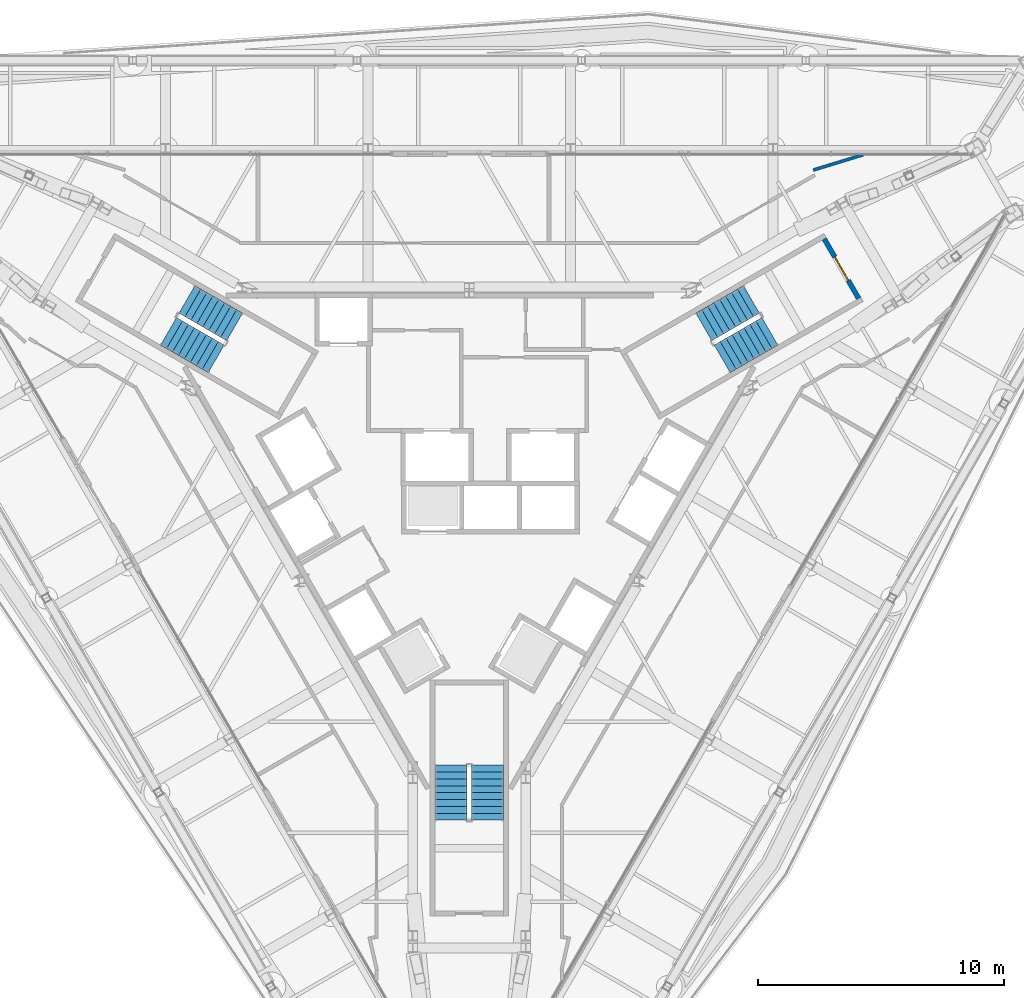
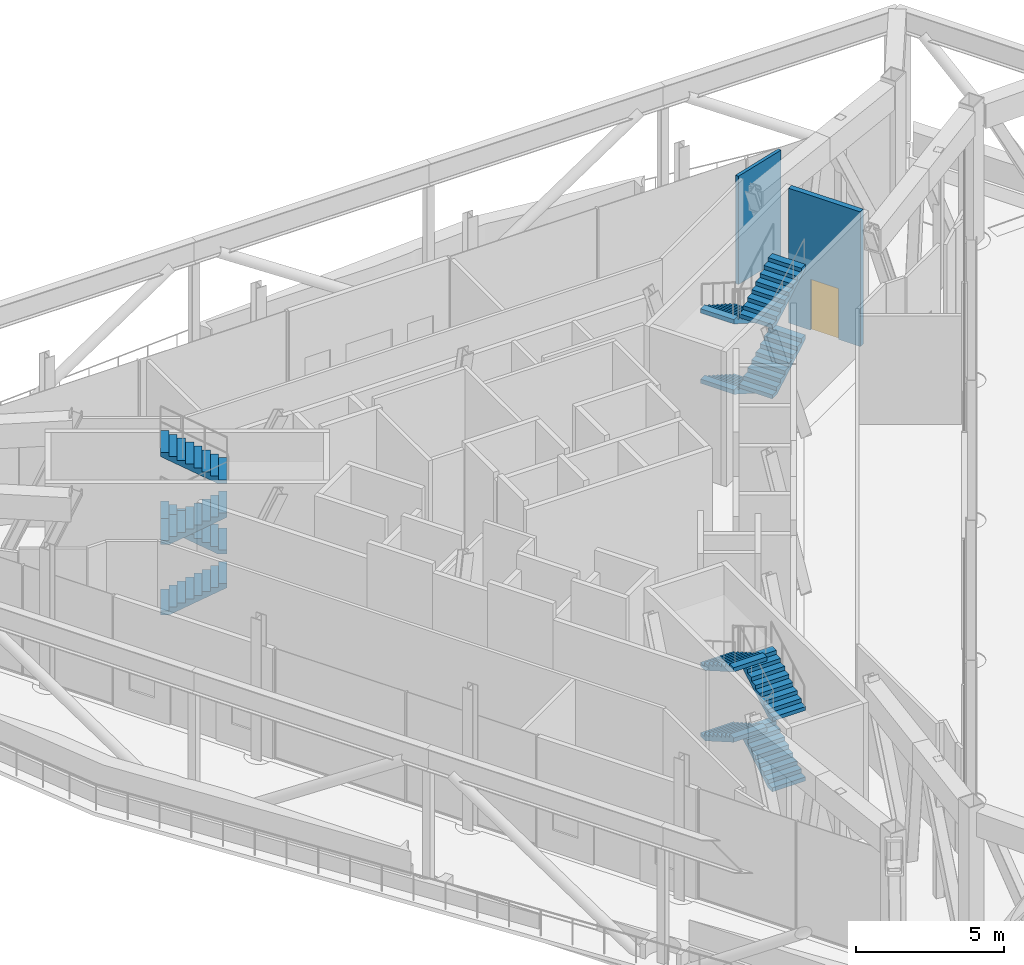
# One storey, part 18 of 25: 12 stair flights, 2 walls, 1 door, 1 opening, 3 elements without a shape of their own.
"""IFC4 building model written with IfcOpenShell, lengths in metres."""

import ifcopenshell
import ifcopenshell.guid

model = None  # the IFC model being written
_history = None  # IfcOwnerHistory: only IFC2X3 demands one
_inside = {}  # id of a spatial element -> (the spatial element, [elements in it])
_under = {}  # id of a project, library or spatial element -> (it, [spatial elements below it])
_declared = {}  # id of a project -> (the project, [libraries it declares])
_typed = {}  # id of a type object -> (the type object, [elements of that type])
_made_of = {}  # id of a material, layer set ... -> (it, [elements and type objects made of it])


def new_model(schema):
    """Start an empty IFC model of exactly this schema.

    Asked for "IFC4X3", IfcOpenShell would pick the latest addendum, in which some entities
    have other attributes; the version numbers below select the first issue.
    IFC2X3 requires an IfcOwnerHistory on every rooted entity: one is made here for all.
    """
    global model, _history
    if schema == "IFC4X3":
        model = ifcopenshell.file(schema_version=(4, 3, 0, 0))
    else:
        model = ifcopenshell.file(schema=schema)
    _inside.clear()
    _under.clear()
    _declared.clear()
    _typed.clear()
    _made_of.clear()
    _history = None
    if model.schema == "IFC2X3":
        org = make("IfcOrganization", Name="unknown")
        user = make(
            "IfcPersonAndOrganization",
            ThePerson=make("IfcPerson", FamilyName="unknown"),
            TheOrganization=org,
        )
        app = make(
            "IfcApplication",
            ApplicationDeveloper=org,
            Version="unknown",
            ApplicationFullName="unknown",
            ApplicationIdentifier="unknown",
        )
        _history = make(
            "IfcOwnerHistory",
            OwningUser=user,
            OwningApplication=app,
            ChangeAction="ADDED",
            CreationDate=0,
        )
    return model


def make(cls, **values):
    """One entity of the class cls with the attributes given. An attribute that is None is left unset."""
    return model.create_entity(
        cls, **{name: value for name, value in values.items() if value is not None}
    )


def rooted(cls, **values):
    """An entity with a GlobalId (a new one), such as an element, a storey or a relation."""
    return make(cls, GlobalId=ifcopenshell.guid.new(), OwnerHistory=_history, **values)


def si_unit(unit_type, name, prefix=None):
    """IfcSIUnit, for example si_unit("LENGTHUNIT", "METRE", prefix="MILLI")."""
    return make("IfcSIUnit", UnitType=unit_type, Prefix=prefix, Name=name)


def assignment(units):
    """IfcUnitAssignment: the units of a project."""
    return None if units is None else make("IfcUnitAssignment", Units=units)


def point(xyz):
    """IfcCartesianPoint."""
    return None if xyz is None else make("IfcCartesianPoint", Coordinates=xyz)


def direction(xyz):
    """IfcDirection."""
    return None if xyz is None else make("IfcDirection", DirectionRatios=xyz)


def frame(location, z_axis=None, x_axis=None):
    """IfcAxis2Placement3D, a coordinate frame: its origin and axes. An axis left out is left unset."""
    return make(
        "IfcAxis2Placement3D",
        Location=point(location),
        Axis=direction(z_axis),
        RefDirection=direction(x_axis),
    )


def frame_2d(location, x_axis=None):
    """IfcAxis2Placement2D, a coordinate frame in the plane: its origin and x axis."""
    return make(
        "IfcAxis2Placement2D", Location=point(location), RefDirection=direction(x_axis)
    )


def origin():
    """The frame at (0, 0, 0) with its axes left unset."""
    return frame((0.0, 0.0, 0.0))


def place(relative_to, where):
    """IfcLocalPlacement: puts the frame where relative to a parent placement (None: the world)."""
    return make(
        "IfcLocalPlacement", PlacementRelTo=relative_to, RelativePlacement=where
    )


def context(
    kind, dimensions, precision=None, world=None, true_north=None, identifier=None
):
    """IfcGeometricRepresentationContext, for example the 3D "Model" context."""
    return make(
        "IfcGeometricRepresentationContext",
        ContextIdentifier=identifier,
        ContextType=kind,
        CoordinateSpaceDimension=dimensions,
        Precision=precision,
        WorldCoordinateSystem=world,
        TrueNorth=true_north,
    )


def subcontext(parent, identifier, kind, view, scale=None):
    """IfcGeometricRepresentationSubContext, for example "Body" below "Model"."""
    return make(
        "IfcGeometricRepresentationSubContext",
        ContextIdentifier=identifier,
        ContextType=kind,
        ParentContext=parent,
        TargetScale=scale,
        TargetView=view,
    )


def project(units=None, contexts=None):
    """IfcProject with its units and contexts."""
    return rooted(
        "IfcProject",
        Name="project",
        RepresentationContexts=contexts,
        UnitsInContext=assignment(units),
    )


def spatial(cls, under=None, at=None, **own):
    """A site, building, storey or space (cls), placed at a placement, below another one or the project."""
    s = rooted(cls, ObjectPlacement=at, **own)
    if under is not None:
        _under.setdefault(under.id(), (under, []))[1].append(s)
    return s


def polyline(points):
    """IfcPolyline through the points."""
    return make("IfcPolyline", Points=[point(p) for p in points])


def profile(cls, at=None, kind="AREA", **sizes):
    """A parametric profile (cls). Its sizes go by their IFC names, for example OverallWidth=200.0."""
    return make(cls, ProfileType=kind, Position=at, **sizes)


def rectangle(**sizes):
    """IfcRectangleProfileDef."""
    return profile("IfcRectangleProfileDef", **sizes)


def outline(outer, holes=None, kind="AREA"):
    """IfcArbitraryClosedProfileDef: a profile drawn as a closed curve; with holes, ...WithVoids."""
    if holes is None:
        return make("IfcArbitraryClosedProfileDef", ProfileType=kind, OuterCurve=outer)
    return make(
        "IfcArbitraryProfileDefWithVoids",
        ProfileType=kind,
        OuterCurve=outer,
        InnerCurves=holes,
    )


def extrude(swept, where, along, depth):
    """IfcExtrudedAreaSolid: the profile swept, set in the frame where, extruded along a direction by depth."""
    return make(
        "IfcExtrudedAreaSolid",
        SweptArea=swept,
        Position=where,
        ExtrudedDirection=direction(along),
        Depth=depth,
    )


def shape(context_of_items, identifier, shape_type, items):
    """IfcShapeRepresentation: the items that make up one representation, for example the "Body"."""
    return make(
        "IfcShapeRepresentation",
        ContextOfItems=context_of_items,
        RepresentationIdentifier=identifier,
        RepresentationType=shape_type,
        Items=items,
    )


def material(Name=None, Category=None):
    """IfcMaterial."""
    return make("IfcMaterial", Name=Name, Category=Category)


def layer(
    of_material, thickness, ventilated=None, Name=None, Category=None, Priority=None
):
    """IfcMaterialLayer: one layer of a wall or slab, of a material (None: an air gap)."""
    return make(
        "IfcMaterialLayer",
        Material=of_material,
        LayerThickness=thickness,
        IsVentilated=ventilated,
        Name=Name,
        Category=Category,
        Priority=Priority,
    )


def layer_set(layers, Name=None):
    """IfcMaterialLayerSet."""
    return make("IfcMaterialLayerSet", MaterialLayers=layers, LayerSetName=Name)


def made_of(thing, what):
    """Note that an element or type object is made of a material, layer set ...; save() writes the relation."""
    if what is not None:
        _made_of.setdefault(what.id(), (what, []))[1].append(thing)
    return thing


def type_object(cls, material=None, **own):
    """A type object (cls), such as IfcWallType, which elements share."""
    return made_of(rooted(cls, **own), material)


def element(
    cls,
    number,
    at=None,
    inside=None,
    cuts=None,
    type_object=None,
    material=None,
    context=None,
    identifier="Body",
    shape_type=None,
    held_by="IfcProductDefinitionShape",
    body=None,
    shapes=None,
    **own,
):
    """One element of the class cls, such as IfcWall. Its Tag is "e" and its number.

    at: its placement. inside: the storey or other place that contains it. cuts: it is an
    opening in that element (IfcRelVoidsElement). A single representation is given by context,
    identifier, shape_type and body (its items); several are given by shapes. held_by: the class
    of the entity that holds the representations. save() writes the other relations.
    """
    e = rooted(cls, Tag="e%d" % number, ObjectPlacement=at, **own)
    if body is not None:
        shapes = [shape(context, identifier, shape_type, body)]
    if shapes is not None:
        e.Representation = make(held_by, Representations=shapes)
    if inside is not None:
        _inside.setdefault(inside.id(), (inside, []))[1].append(e)
    if cuts is not None:
        rooted(
            "IfcRelVoidsElement", RelatingBuildingElement=cuts, RelatedOpeningElement=e
        )
    if type_object is not None:
        _typed.setdefault(type_object.id(), (type_object, []))[1].append(e)
    return made_of(e, material)


def fill(opening, filler):
    """IfcRelFillsElement: the door or window that sits in an opening."""
    return rooted(
        "IfcRelFillsElement",
        RelatingOpeningElement=opening,
        RelatedBuildingElement=filler,
    )


def aggregate(whole, parts):
    """IfcRelAggregates: a whole, such as a stair, and the parts it consists of."""
    return rooted("IfcRelAggregates", RelatingObject=whole, RelatedObjects=parts)


def save(model, path):
    """Write the relations noted so far, then the file.

    IfcRelAggregates (storeys below a building ...), IfcRelContainedInSpatialStructure (elements
    in a storey), IfcRelDefinesByType, IfcRelAssociatesMaterial and IfcRelDeclares: one each for
    every whole, place, type object, material and project.
    """
    for whole, parts in _under.values():
        aggregate(whole, parts)
    for where, things in _inside.values():
        rooted(
            "IfcRelContainedInSpatialStructure",
            RelatedElements=things,
            RelatingStructure=where,
        )
    for kind, things in _typed.values():
        rooted("IfcRelDefinesByType", RelatedObjects=things, RelatingType=kind)
    for what, things in _made_of.values():
        rooted("IfcRelAssociatesMaterial", RelatedObjects=things, RelatingMaterial=what)
    for by, libraries in _declared.values():
        rooted("IfcRelDeclares", RelatingContext=by, RelatedDefinitions=libraries)
    model.write(path)


model = new_model("IFC4")

# Units and contexts
model_context = context("Model", 3, precision=1e-05, world=origin(), true_north=direction((0.0, 1.0)))
body_context = subcontext(model_context, "Body", "Model", "MODEL_VIEW")
ifc_project = project(units=[si_unit("LENGTHUNIT", "METRE"), si_unit("AREAUNIT", "SQUARE_METRE"), si_unit("VOLUMEUNIT", "CUBIC_METRE"), si_unit("PLANEANGLEUNIT", "RADIAN"), si_unit("MASSUNIT", "GRAM", prefix="KILO")], contexts=[model_context])

# Site, building, storey
site_placement = place(None, origin())
site = spatial("IfcSite", under=ifc_project, at=site_placement, CompositionType="ELEMENT")
building_placement = place(site_placement, origin())
building = spatial("IfcBuilding", under=site, at=building_placement, Name="Verrane Prism Tower", CompositionType="ELEMENT")
storey_placement = place(building_placement, frame((0.0, 0.0, 258.199951171875)))
storey = spatial("IfcBuildingStorey", under=building, at=storey_placement, Name="L65", CompositionType="ELEMENT", Elevation=258.199951171875)

# Wall, opening, door
ifc_material_1 = material(Name="Concrete C40/50", Category="concrete")
ifc_layer_1 = layer(ifc_material_1, 0.199951171875)
ifc_layer_set_1 = layer_set([ifc_layer_1], Name="CW-200 stair core wall concrete C40/50 3 h")
wall_type_1 = type_object("IfcWallType", Name="CW-200 stair core wall concrete C40/50 3 h", PredefinedType="PARTITIONING", material=ifc_layer_set_1)
wall_1_placement = place(storey_placement, frame((15.85546875, 7.53759765625, 0.0), z_axis=(0.0, 0.0, 1.0), x_axis=(-0.500049511043, 0.865996816683, 0.0)))
wall_1 = element("IfcWall", 1, at=wall_1_placement, inside=storey, type_object=wall_type_1, Name="Stair 1 enclosure wall", PredefinedType="PARTITIONING", context=body_context, shape_type="SweptSolid", body=[
    extrude(rectangle(XDim=2.800048828125, YDim=0.199951171875, at=frame_2d((1.39990234375, 0.0))), origin(), (0.0, 0.0, 1.0), 5.550048828125),
])
opening_placement = place(wall_1_placement, frame((0.849853515625, 0.0, 0.0)))
opening = element("IfcOpeningElement", 2, at=opening_placement, cuts=wall_1, Name="Opening D65500", PredefinedType="OPENING", context=body_context, shape_type="SweptSolid", body=[
    extrude(rectangle(XDim=1.10009765625, YDim=2.10009765625, at=frame_2d((0.550048828125, 1.050048828125))), frame((0.0, 0.10986328125, 0.0), z_axis=(0.0, -1.0, 0.0), x_axis=(1.0, 0.0, 0.0)), (0.0, 0.0, 1.0), 0.219970703125),
])
ifc_material_2 = material(Name="Timber veneered door leaf", Category="wood")
door_type = type_object("IfcDoorType", Name="DR-1100x2100 FD90 single leaf stair", OperationType="NOTDEFINED", PredefinedType="DOOR", material=ifc_material_2)
door_placement = place(opening_placement, origin())
door = element("IfcDoor", 3, at=door_placement, inside=storey, type_object=door_type, Name="Stair 1 door", OperationType="SINGLE_SWING_LEFT", OverallHeight=2.10009765625, OverallWidth=1.10009765625, PredefinedType="DOOR", context=body_context, shape_type="SweptSolid", body=[
    extrude(rectangle(XDim=1.10009765625, YDim=2.10009765625, at=frame_2d((0.550048828125, 1.050048828125))), frame((0.0, 0.02490234375, 0.0), z_axis=(0.0, -1.0, 0.0), x_axis=(1.0, 0.0, 0.0)), (0.0, 0.0, 1.0), 0.050048828125),
])
fill(opening, door)

# Wall
ifc_material_3 = material(Name="Gypsum board partition", Category="other")
ifc_layer_2 = layer(ifc_material_3, 0.125)
ifc_layer_set_2 = layer_set([ifc_layer_2], Name="PW-125 corridor wall 1 h")
wall_type_2 = type_object("IfcWallType", Name="PW-125 corridor wall 1 h", PredefinedType="PARTITIONING", material=ifc_layer_set_2)
wall_2_placement = place(storey_placement, frame((14.007080078125, 12.76611328125, 0.0), z_axis=(0.0, 0.0, 1.0), x_axis=(0.956207207062, 0.292690582633, 0.0)))
element("IfcWall", 4, at=wall_2_placement, inside=storey, type_object=wall_type_2, Name="Corridor wall 026", PredefinedType="PARTITIONING", context=body_context, shape_type="SweptSolid", body=[
    extrude(rectangle(XDim=2.115234375, YDim=0.125, at=frame_2d((1.0576171875, 0.0))), origin(), (0.0, 0.0, 1.0), 4.462158203125),
])

# Stair, stair flights
ifc_material_4 = material(Name="Concrete C40/50", Category="concrete")
stair_type = type_object("IfcStairType", Name="Exit stair 1300 dog-leg precast concrete C40/50", PredefinedType="HALF_TURN_STAIR", material=ifc_material_4)
stair_1_placement = place(storey_placement, origin())
stair_1 = element("IfcStair", 5, at=stair_1_placement, inside=storey, type_object=stair_type, Name="Stair 1 L65", PredefinedType="HALF_TURN_STAIR")
ifc_material_5 = material(Name="Concrete C40/50", Category="concrete")
stair_flight_type = type_object("IfcStairFlightType", Name="Stair flight 1300 precast concrete C40/50", PredefinedType="STRAIGHT", material=ifc_material_5)
stair_flight_1_placement = place(storey_placement, frame((11.489501953125, 7.49951171875, 0.0), z_axis=(0.0, 0.0, 1.0), x_axis=(-0.866025403784, -0.5, 0.0)))
stair_flight_1 = element("IfcStairFlight", 6, at=stair_flight_1_placement, type_object=stair_flight_type, Name="Stair 1 flight 1", NumberOfRisers=9, NumberOfTreads=8, PredefinedType="STRAIGHT", RiserHeight=0.161111111, TreadLength=0.28, context=body_context, shape_type="SweptSolid", body=[
    extrude(outline(polyline([(0.0, 0.0), (0.0, 0.1611328125), (0.280029296875, 0.1611328125), (0.280029296875, 0.322265625), (0.56005859375, 0.322265625), (0.56005859375, 0.4833984375), (0.840087890625, 0.4833984375), (0.840087890625, 0.64453125), (1.1201171875, 0.64453125), (1.1201171875, 0.8056640625), (1.39990234375, 0.8056640625), (1.39990234375, 0.966552734375), (1.679931640625, 0.966552734375), (1.679931640625, 1.127685546875), (1.9599609375, 1.127685546875), (1.9599609375, 1.288818359375), (2.239990234375, 1.288818359375), (2.239990234375, 1.449951171875), (2.239990234375, 1.115966796875), (0.300537109375, 0.0), (0.0, 0.0)])), frame((0.0, 0.64990234375, 0.0), z_axis=(0.0, -1.0, 0.0), x_axis=(1.0, 0.0, 0.0)), (0.0, 0.0, 1.0), 1.300048828125),
])
stair_flight_2_placement = place(storey_placement, frame((10.299560546875, 5.08056640625, 1.449951171875), z_axis=(0.0, 0.0, 1.0), x_axis=(0.866025403784, 0.5, 0.0)))
stair_flight_2 = element("IfcStairFlight", 7, at=stair_flight_2_placement, type_object=stair_flight_type, Name="Stair 1 flight 2", NumberOfRisers=9, NumberOfTreads=8, PredefinedType="STRAIGHT", RiserHeight=0.161111111, TreadLength=0.28, context=body_context, shape_type="SweptSolid", body=[
    extrude(outline(polyline([(0.0, 0.0), (0.0, 0.1611328125), (0.280029296875, 0.1611328125), (0.280029296875, 0.322265625), (0.56005859375, 0.322265625), (0.56005859375, 0.4833984375), (0.840087890625, 0.4833984375), (0.840087890625, 0.64453125), (1.1201171875, 0.64453125), (1.1201171875, 0.8056640625), (1.39990234375, 0.8056640625), (1.39990234375, 0.966552734375), (1.679931640625, 0.966552734375), (1.679931640625, 1.127685546875), (1.9599609375, 1.127685546875), (1.9599609375, 1.288818359375), (2.239990234375, 1.288818359375), (2.239990234375, 1.449951171875), (2.239990234375, 1.115966796875), (0.300537109375, 0.0), (0.0, 0.0)])), frame((0.0, 0.64990234375, 0.0), z_axis=(0.0, -1.0, 0.0), x_axis=(1.0, 0.0, 0.0)), (0.0, 0.0, 1.0), 1.300048828125),
])
stair_flight_3_placement = place(storey_placement, frame((11.489501953125, 7.49951171875, 2.900146484375), z_axis=(0.0, 0.0, 1.0), x_axis=(-0.866025403784, -0.5, 0.0)))
stair_flight_3 = element("IfcStairFlight", 8, at=stair_flight_3_placement, type_object=stair_flight_type, Name="Stair 1 flight 3", NumberOfRisers=9, NumberOfTreads=8, PredefinedType="STRAIGHT", RiserHeight=0.161111111, TreadLength=0.28, context=body_context, shape_type="SweptSolid", body=[
    extrude(outline(polyline([(0.0, 0.0), (0.0, 0.1611328125), (0.280029296875, 0.1611328125), (0.280029296875, 0.322265625), (0.56005859375, 0.322265625), (0.56005859375, 0.4833984375), (0.840087890625, 0.4833984375), (0.840087890625, 0.64453125), (1.1201171875, 0.64453125), (1.1201171875, 0.8056640625), (1.39990234375, 0.8056640625), (1.39990234375, 0.966552734375), (1.679931640625, 0.966552734375), (1.679931640625, 1.127685546875), (1.9599609375, 1.127685546875), (1.9599609375, 1.288818359375), (2.239990234375, 1.288818359375), (2.239990234375, 1.449951171875), (2.239990234375, 1.115966796875), (0.300537109375, 0.0), (0.0, 0.0)])), frame((0.0, 0.64990234375, 0.0), z_axis=(0.0, -1.0, 0.0), x_axis=(1.0, 0.0, 0.0)), (0.0, 0.0, 1.0), 1.300048828125),
])
stair_flight_4_placement = place(storey_placement, frame((10.299560546875, 5.08056640625, 4.35009765625), z_axis=(0.0, 0.0, 1.0), x_axis=(0.866025403784, 0.5, 0.0)))
stair_flight_4 = element("IfcStairFlight", 9, at=stair_flight_4_placement, type_object=stair_flight_type, Name="Stair 1 flight 4", NumberOfRisers=9, NumberOfTreads=8, PredefinedType="STRAIGHT", RiserHeight=0.161111111, TreadLength=0.28, context=body_context, shape_type="SweptSolid", body=[
    extrude(outline(polyline([(0.0, 0.0), (0.0, 0.1611328125), (0.280029296875, 0.1611328125), (0.280029296875, 0.322265625), (0.56005859375, 0.322265625), (0.56005859375, 0.4833984375), (0.840087890625, 0.4833984375), (0.840087890625, 0.64453125), (1.1201171875, 0.64453125), (1.1201171875, 0.8056640625), (1.39990234375, 0.8056640625), (1.39990234375, 0.966552734375), (1.679931640625, 0.966552734375), (1.679931640625, 1.127685546875), (1.9599609375, 1.127685546875), (1.9599609375, 1.288818359375), (2.239990234375, 1.288818359375), (2.239990234375, 1.449951171875), (2.239990234375, 1.115966796875), (0.300537109375, 0.0), (0.0, 0.0)])), frame((0.0, 0.64990234375, 0.0), z_axis=(0.0, -1.0, 0.0), x_axis=(1.0, 0.0, 0.0)), (0.0, 0.0, 1.0), 1.300048828125),
])
aggregate(stair_1, [stair_flight_1, stair_flight_2, stair_flight_3, stair_flight_4])

stair_2_placement = place(storey_placement, origin())
stair_2 = element("IfcStair", 10, at=stair_2_placement, inside=storey, type_object=stair_type, Name="Stair 2 L65", PredefinedType="HALF_TURN_STAIR")
stair_flight_5_placement = place(storey_placement, frame((-12.239501953125, 6.200439453125, 0.0), z_axis=(0.0, 0.0, 1.0), x_axis=(0.866025403784, -0.5, 0.0)))
stair_flight_5 = element("IfcStairFlight", 11, at=stair_flight_5_placement, type_object=stair_flight_type, Name="Stair 2 flight 1", NumberOfRisers=9, NumberOfTreads=8, PredefinedType="STRAIGHT", RiserHeight=0.161111111, TreadLength=0.28, context=body_context, shape_type="SweptSolid", body=[
    extrude(outline(polyline([(0.0, 0.0), (0.0, 0.1611328125), (0.280029296875, 0.1611328125), (0.280029296875, 0.322265625), (0.56005859375, 0.322265625), (0.56005859375, 0.4833984375), (0.840087890625, 0.4833984375), (0.840087890625, 0.64453125), (1.1201171875, 0.64453125), (1.1201171875, 0.8056640625), (1.39990234375, 0.8056640625), (1.39990234375, 0.966552734375), (1.679931640625, 0.966552734375), (1.679931640625, 1.127685546875), (1.9599609375, 1.127685546875), (1.9599609375, 1.288818359375), (2.239990234375, 1.288818359375), (2.239990234375, 1.449951171875), (2.239990234375, 1.115966796875), (0.300537109375, 0.0), (0.0, 0.0)])), frame((0.0, 0.64990234375, 0.0), z_axis=(0.0, -1.0, 0.0), x_axis=(1.0, 0.0, 0.0)), (0.0, 0.0, 1.0), 1.300048828125),
])
stair_flight_6_placement = place(storey_placement, frame((-9.549560546875, 6.379638671875, 1.449951171875), z_axis=(0.0, 0.0, 1.0), x_axis=(-0.866025403784, 0.5, 0.0)))
stair_flight_6 = element("IfcStairFlight", 12, at=stair_flight_6_placement, type_object=stair_flight_type, Name="Stair 2 flight 2", NumberOfRisers=9, NumberOfTreads=8, PredefinedType="STRAIGHT", RiserHeight=0.161111111, TreadLength=0.28, context=body_context, shape_type="SweptSolid", body=[
    extrude(outline(polyline([(0.0, 0.0), (0.0, 0.1611328125), (0.280029296875, 0.1611328125), (0.280029296875, 0.322265625), (0.56005859375, 0.322265625), (0.56005859375, 0.4833984375), (0.840087890625, 0.4833984375), (0.840087890625, 0.64453125), (1.1201171875, 0.64453125), (1.1201171875, 0.8056640625), (1.39990234375, 0.8056640625), (1.39990234375, 0.966552734375), (1.679931640625, 0.966552734375), (1.679931640625, 1.127685546875), (1.9599609375, 1.127685546875), (1.9599609375, 1.288818359375), (2.239990234375, 1.288818359375), (2.239990234375, 1.449951171875), (2.239990234375, 1.115966796875), (0.300537109375, 0.0), (0.0, 0.0)])), frame((0.0, 0.64990234375, 0.0), z_axis=(0.0, -1.0, 0.0), x_axis=(1.0, 0.0, 0.0)), (0.0, 0.0, 1.0), 1.300048828125),
])
stair_flight_7_placement = place(storey_placement, frame((-12.239501953125, 6.200439453125, 2.900146484375), z_axis=(0.0, 0.0, 1.0), x_axis=(0.866025403784, -0.5, 0.0)))
stair_flight_7 = element("IfcStairFlight", 13, at=stair_flight_7_placement, type_object=stair_flight_type, Name="Stair 2 flight 3", NumberOfRisers=9, NumberOfTreads=8, PredefinedType="STRAIGHT", RiserHeight=0.161111111, TreadLength=0.28, context=body_context, shape_type="SweptSolid", body=[
    extrude(outline(polyline([(0.0, 0.0), (0.0, 0.1611328125), (0.280029296875, 0.1611328125), (0.280029296875, 0.322265625), (0.56005859375, 0.322265625), (0.56005859375, 0.4833984375), (0.840087890625, 0.4833984375), (0.840087890625, 0.64453125), (1.1201171875, 0.64453125), (1.1201171875, 0.8056640625), (1.39990234375, 0.8056640625), (1.39990234375, 0.966552734375), (1.679931640625, 0.966552734375), (1.679931640625, 1.127685546875), (1.9599609375, 1.127685546875), (1.9599609375, 1.288818359375), (2.239990234375, 1.288818359375), (2.239990234375, 1.449951171875), (2.239990234375, 1.115966796875), (0.300537109375, 0.0), (0.0, 0.0)])), frame((0.0, 0.64990234375, 0.0), z_axis=(0.0, -1.0, 0.0), x_axis=(1.0, 0.0, 0.0)), (0.0, 0.0, 1.0), 1.300048828125),
])
stair_flight_8_placement = place(storey_placement, frame((-9.549560546875, 6.379638671875, 4.35009765625), z_axis=(0.0, 0.0, 1.0), x_axis=(-0.866025403784, 0.5, 0.0)))
stair_flight_8 = element("IfcStairFlight", 14, at=stair_flight_8_placement, type_object=stair_flight_type, Name="Stair 2 flight 4", NumberOfRisers=9, NumberOfTreads=8, PredefinedType="STRAIGHT", RiserHeight=0.161111111, TreadLength=0.28, context=body_context, shape_type="SweptSolid", body=[
    extrude(outline(polyline([(0.0, 0.0), (0.0, 0.1611328125), (0.280029296875, 0.1611328125), (0.280029296875, 0.322265625), (0.56005859375, 0.322265625), (0.56005859375, 0.4833984375), (0.840087890625, 0.4833984375), (0.840087890625, 0.64453125), (1.1201171875, 0.64453125), (1.1201171875, 0.8056640625), (1.39990234375, 0.8056640625), (1.39990234375, 0.966552734375), (1.679931640625, 0.966552734375), (1.679931640625, 1.127685546875), (1.9599609375, 1.127685546875), (1.9599609375, 1.288818359375), (2.239990234375, 1.288818359375), (2.239990234375, 1.449951171875), (2.239990234375, 1.115966796875), (0.300537109375, 0.0), (0.0, 0.0)])), frame((0.0, 0.64990234375, 0.0), z_axis=(0.0, -1.0, 0.0), x_axis=(1.0, 0.0, 0.0)), (0.0, 0.0, 1.0), 1.300048828125),
])
aggregate(stair_2, [stair_flight_5, stair_flight_6, stair_flight_7, stair_flight_8])

stair_3_placement = place(storey_placement, origin())
stair_3 = element("IfcStair", 15, at=stair_3_placement, inside=storey, type_object=stair_type, Name="Stair 3 L65", PredefinedType="HALF_TURN_STAIR")
stair_flight_9_placement = place(storey_placement, frame((0.75, -13.699951171875, 0.0), z_axis=(0.0, 0.0, 1.0), x_axis=(0.0, 1.0, 0.0)))
stair_flight_9 = element("IfcStairFlight", 16, at=stair_flight_9_placement, type_object=stair_flight_type, Name="Stair 3 flight 1", NumberOfRisers=9, NumberOfTreads=8, PredefinedType="STRAIGHT", RiserHeight=0.161111111, TreadLength=0.28, context=body_context, shape_type="SweptSolid", body=[
    extrude(outline(polyline([(0.0, 0.0), (0.0, 0.1611328125), (0.280029296875, 0.1611328125), (0.280029296875, 0.322265625), (0.56005859375, 0.322265625), (0.56005859375, 0.4833984375), (0.840087890625, 0.4833984375), (0.840087890625, 0.64453125), (1.1201171875, 0.64453125), (1.1201171875, 0.8056640625), (1.39990234375, 0.8056640625), (1.39990234375, 0.966552734375), (1.679931640625, 0.966552734375), (1.679931640625, 1.127685546875), (1.9599609375, 1.127685546875), (1.9599609375, 1.288818359375), (2.239990234375, 1.288818359375), (2.239990234375, 1.449951171875), (2.239990234375, 1.115966796875), (0.300537109375, 0.0), (0.0, 0.0)])), frame((0.0, 0.64990234375, 0.0), z_axis=(0.0, -1.0, 0.0), x_axis=(1.0, 0.0, 0.0)), (0.0, 0.0, 1.0), 1.300048828125),
])
stair_flight_10_placement = place(storey_placement, frame((-0.75, -11.4599609375, 1.449951171875), z_axis=(0.0, 0.0, 1.0), x_axis=(0.0, -1.0, 0.0)))
stair_flight_10 = element("IfcStairFlight", 17, at=stair_flight_10_placement, type_object=stair_flight_type, Name="Stair 3 flight 2", NumberOfRisers=9, NumberOfTreads=8, PredefinedType="STRAIGHT", RiserHeight=0.161111111, TreadLength=0.28, context=body_context, shape_type="SweptSolid", body=[
    extrude(outline(polyline([(0.0, 0.0), (0.0, 0.1611328125), (0.280029296875, 0.1611328125), (0.280029296875, 0.322265625), (0.56005859375, 0.322265625), (0.56005859375, 0.4833984375), (0.840087890625, 0.4833984375), (0.840087890625, 0.64453125), (1.1201171875, 0.64453125), (1.1201171875, 0.8056640625), (1.39990234375, 0.8056640625), (1.39990234375, 0.966552734375), (1.679931640625, 0.966552734375), (1.679931640625, 1.127685546875), (1.9599609375, 1.127685546875), (1.9599609375, 1.288818359375), (2.239990234375, 1.288818359375), (2.239990234375, 1.449951171875), (2.239990234375, 1.115966796875), (0.300537109375, 0.0), (0.0, 0.0)])), frame((0.0, 0.64990234375, 0.0), z_axis=(0.0, -1.0, 0.0), x_axis=(1.0, 0.0, 0.0)), (0.0, 0.0, 1.0), 1.300048828125),
])
stair_flight_11_placement = place(storey_placement, frame((0.75, -13.699951171875, 2.900146484375), z_axis=(0.0, 0.0, 1.0), x_axis=(0.0, 1.0, 0.0)))
stair_flight_11 = element("IfcStairFlight", 18, at=stair_flight_11_placement, type_object=stair_flight_type, Name="Stair 3 flight 3", NumberOfRisers=9, NumberOfTreads=8, PredefinedType="STRAIGHT", RiserHeight=0.161111111, TreadLength=0.28, context=body_context, shape_type="SweptSolid", body=[
    extrude(outline(polyline([(0.0, 0.0), (0.0, 0.1611328125), (0.280029296875, 0.1611328125), (0.280029296875, 0.322265625), (0.56005859375, 0.322265625), (0.56005859375, 0.4833984375), (0.840087890625, 0.4833984375), (0.840087890625, 0.64453125), (1.1201171875, 0.64453125), (1.1201171875, 0.8056640625), (1.39990234375, 0.8056640625), (1.39990234375, 0.966552734375), (1.679931640625, 0.966552734375), (1.679931640625, 1.127685546875), (1.9599609375, 1.127685546875), (1.9599609375, 1.288818359375), (2.239990234375, 1.288818359375), (2.239990234375, 1.449951171875), (2.239990234375, 1.115966796875), (0.300537109375, 0.0), (0.0, 0.0)])), frame((0.0, 0.64990234375, 0.0), z_axis=(0.0, -1.0, 0.0), x_axis=(1.0, 0.0, 0.0)), (0.0, 0.0, 1.0), 1.300048828125),
])
stair_flight_12_placement = place(storey_placement, frame((-0.75, -11.4599609375, 4.35009765625), z_axis=(0.0, 0.0, 1.0), x_axis=(0.0, -1.0, 0.0)))
stair_flight_12 = element("IfcStairFlight", 19, at=stair_flight_12_placement, type_object=stair_flight_type, Name="Stair 3 flight 4", NumberOfRisers=9, NumberOfTreads=8, PredefinedType="STRAIGHT", RiserHeight=0.161111111, TreadLength=0.28, context=body_context, shape_type="SweptSolid", body=[
    extrude(outline(polyline([(0.0, 0.0), (0.0, 0.1611328125), (0.280029296875, 0.1611328125), (0.280029296875, 0.322265625), (0.56005859375, 0.322265625), (0.56005859375, 0.4833984375), (0.840087890625, 0.4833984375), (0.840087890625, 0.64453125), (1.1201171875, 0.64453125), (1.1201171875, 0.8056640625), (1.39990234375, 0.8056640625), (1.39990234375, 0.966552734375), (1.679931640625, 0.966552734375), (1.679931640625, 1.127685546875), (1.9599609375, 1.127685546875), (1.9599609375, 1.288818359375), (2.239990234375, 1.288818359375), (2.239990234375, 1.449951171875), (2.239990234375, 1.115966796875), (0.300537109375, 0.0), (0.0, 0.0)])), frame((0.0, 0.64990234375, 0.0), z_axis=(0.0, -1.0, 0.0), x_axis=(1.0, 0.0, 0.0)), (0.0, 0.0, 1.0), 1.300048828125),
])
aggregate(stair_3, [stair_flight_9, stair_flight_10, stair_flight_11, stair_flight_12])

save(model, "model.ifc")
